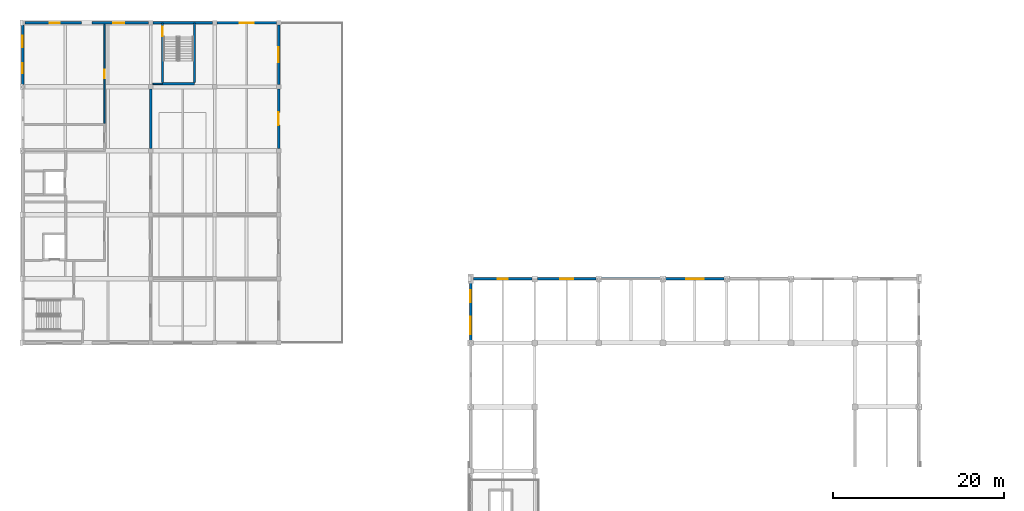
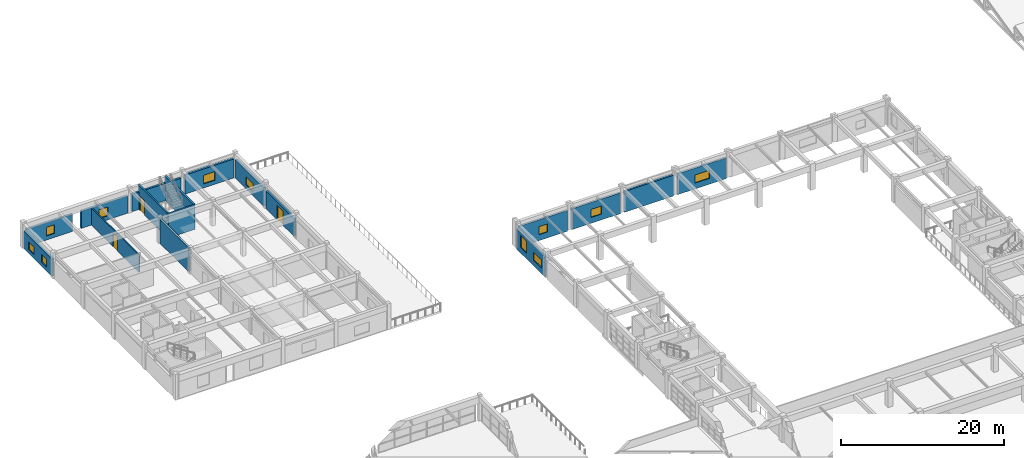
# One storey, part 65 of 82: 18 walls, 11 windows, 3 doors, 14 openings.
"""IFC4 building model written with IfcOpenShell, lengths in metres."""

from ifc_helpers import new_model, si_unit, direction, frame, frame_2d, origin, place, context, subcontext, project, spatial, rectangle, extrude, material, layer, layer_set, type_object, element, fill, save


model = new_model("IFC4")

# Units and contexts
model_context = context("Model", 3, precision=1e-05, world=origin(), true_north=direction((0.0, 1.0)))
body_context = subcontext(model_context, "Body", "Model", "MODEL_VIEW")
ifc_project = project(units=[si_unit("LENGTHUNIT", "METRE"), si_unit("AREAUNIT", "SQUARE_METRE"), si_unit("VOLUMEUNIT", "CUBIC_METRE"), si_unit("PLANEANGLEUNIT", "RADIAN"), si_unit("MASSUNIT", "GRAM", prefix="KILO")], contexts=[model_context])

# Site, building, storey
site_placement = place(None, origin())
site = spatial("IfcSite", under=ifc_project, at=site_placement, CompositionType="ELEMENT")
building_placement = place(site_placement, origin())
building = spatial("IfcBuilding", under=site, at=building_placement, Name="Qasida Concert Hall", CompositionType="ELEMENT")
storey_placement = place(building_placement, frame((0.0, 0.0, 17.10009765625)))
storey = spatial("IfcBuildingStorey", under=building, at=storey_placement, Name="L04", CompositionType="ELEMENT", Elevation=17.10009765625)

# Wall
ifc_material_1 = material(Name="Concrete C40/50", Category="concrete")
ifc_layer_1 = layer(ifc_material_1, 0.25, Name="Concrete C40/50")
ifc_layer_set_1 = layer_set([ifc_layer_1], Name="Concrete C40/50")
wall_type_1 = type_object("IfcWallType", Name="WL-CW-250", PredefinedType="SOLIDWALL", material=ifc_layer_set_1)
wall_1_placement = place(storey_placement, frame((16.3798828125, 105.35498046875, 0.0), z_axis=(0.0, 0.0, 1.0), x_axis=(1.0, 0.0, 0.0)))
element("IfcWall", 1, at=wall_1_placement, inside=storey, type_object=wall_type_1, Name="L04 ST-06 stairwell wall S", PredefinedType="SOLIDWALL", context=body_context, shape_type="SweptSolid", body=[
    extrude(rectangle(XDim=3.740234375, YDim=0.25, at=frame_2d((1.8701171875, 0.0))), origin(), (0.0, 0.0, 1.0), 3.619873046875),
])

# Wall, opening, door
wall_2_placement = place(storey_placement, frame((16.375, 105.47998046875, 0.0), z_axis=(0.0, 0.0, 1.0), x_axis=(0.0, 1.0, 0.0)))
wall_2 = element("IfcWall", 2, at=wall_2_placement, inside=storey, type_object=wall_type_1, Name="L04 ST-06 stairwell wall W", PredefinedType="SOLIDWALL", context=body_context, shape_type="SweptSolid", body=[
    extrude(rectangle(XDim=7.02001953125, YDim=0.25, at=frame_2d((3.510009765625, 0.0))), origin(), (0.0, 0.0, 1.0), 3.619873046875),
])
opening_1_placement = place(wall_2_placement, frame((5.469970703125, 0.0, 0.0)))
opening_1 = element("IfcOpeningElement", 3, at=opening_1_placement, cuts=wall_2, Name="Opening FD-110", PredefinedType="OPENING", context=body_context, shape_type="SweptSolid", body=[
    extrude(rectangle(XDim=1.10009765625, YDim=2.14990234375, at=frame_2d((0.550048828125, 1.074951171875))), frame((0.0, 0.135009765625, 0.0), z_axis=(0.0, -1.0, 0.0), x_axis=(1.0, 0.0, 0.0)), (0.0, 0.0, 1.0), 0.27001953125),
])
ifc_material_2 = material(Name="Steel fire-rated stair/lobby door set", Category="steel")
door_type_1 = type_object("IfcDoorType", Name="FD-110", OperationType="NOTDEFINED", PredefinedType="DOOR", material=ifc_material_2)
door_1_placement = place(opening_1_placement, origin())
door_1 = element("IfcDoor", 4, at=door_1_placement, inside=storey, type_object=door_type_1, Name="L04 ST-06 rated stair door", OperationType="SINGLE_SWING_LEFT", OverallHeight=2.14990234375, OverallWidth=1.10009765625, PredefinedType="DOOR", context=body_context, shape_type="SweptSolid", body=[
    extrude(rectangle(XDim=1.10009765625, YDim=2.14990234375, at=frame_2d((0.550048828125, 1.074951171875))), frame((0.0, 0.02490234375, 0.0), z_axis=(0.0, -1.0, 0.0), x_axis=(1.0, 0.0, 0.0)), (0.0, 0.0, 1.0), 0.050048828125),
])
fill(opening_1, door_1)

# Wall
wall_3_placement = place(storey_placement, frame((20.125, 105.47998046875, 0.0), z_axis=(0.0, 0.0, 1.0), x_axis=(0.0, 1.0, 0.0)))
element("IfcWall", 5, at=wall_3_placement, inside=storey, type_object=wall_type_1, Name="L04 ST-06 stairwell wall E", PredefinedType="SOLIDWALL", context=body_context, shape_type="SweptSolid", body=[
    extrude(rectangle(XDim=7.02001953125, YDim=0.25, at=frame_2d((3.510009765625, 0.0))), origin(), (0.0, 0.0, 1.0), 3.619873046875),
])

# Wall, openings, windows
ifc_material_3 = material(Name="Precast concrete C40/50", Category="concrete")
ifc_layer_2 = layer(ifc_material_3, 0.280029296875, Name="Precast concrete C40/50")
ifc_layer_set_2 = layer_set([ifc_layer_2], Name="Precast concrete C40/50")
wall_type_2 = type_object("IfcWallType", Name="WL-EW-280", PredefinedType="SOLIDWALL", material=ifc_layer_set_2)
wall_4_placement = place(storey_placement, frame((52.5, 75.300048828125, -0.280029296875), z_axis=(0.0, 0.0, 1.0), x_axis=(0.0, 1.0, 0.0)))
wall_4 = element("IfcWall", 6, at=wall_4_placement, inside=storey, type_object=wall_type_2, Name="L04 exterior wall EW-280 0087", PredefinedType="SOLIDWALL", context=body_context, shape_type="SweptSolid", body=[
    extrude(rectangle(XDim=6.89990234375, YDim=0.280029296875, at=frame_2d((3.449951171875, 0.0))), origin(), (0.0, 0.0, 1.0), 3.06982421875),
])
opening_2_placement = place(wall_4_placement, frame((0.699951171875, 0.0, 0.8798828125)))
opening_2 = element("IfcOpeningElement", 7, at=opening_2_placement, cuts=wall_4, Name="Opening WN-20", PredefinedType="OPENING", context=body_context, shape_type="SweptSolid", body=[
    extrude(rectangle(XDim=2.050048828125, YDim=1.199951171875, at=frame_2d((1.02490234375, 0.60009765625))), frame((0.0, 0.14990234375, 0.0), z_axis=(0.0, -1.0, 0.0), x_axis=(1.0, 0.0, 0.0)), (0.0, 0.0, 1.0), 0.300048828125),
])
opening_3_placement = place(wall_4_placement, frame((4.47509765625, 0.0, 0.8798828125)))
opening_3 = element("IfcOpeningElement", 8, at=opening_3_placement, cuts=wall_4, Name="Opening WN-03", PredefinedType="OPENING", context=body_context, shape_type="SweptSolid", body=[
    extrude(rectangle(XDim=1.39990234375, YDim=1.800048828125, at=frame_2d((0.699951171875, 0.89990234375))), frame((0.0, 0.14990234375, 0.0), z_axis=(0.0, -1.0, 0.0), x_axis=(1.0, 0.0, 0.0)), (0.0, 0.0, 1.0), 0.300048828125),
])
ifc_material_4 = material(Name="Bronze-anodized aluminium frame with acoustic low-E glazing", Category="aluminium")
window_type_1 = type_object("IfcWindowType", Name="WN-03", PartitioningType="SINGLE_PANEL", PredefinedType="WINDOW", material=ifc_material_4)
window_1_placement = place(opening_3_placement, origin())
window_1 = element("IfcWindow", 9, at=window_1_placement, inside=storey, type_object=window_type_1, Name="L04 window WN-03 0029", OverallHeight=1.800048828125, OverallWidth=1.39990234375, PartitioningType="SINGLE_PANEL", PredefinedType="WINDOW", context=body_context, shape_type="SweptSolid", body=[
    extrude(rectangle(XDim=1.39990234375, YDim=1.800048828125, at=frame_2d((0.699951171875, 0.89990234375))), frame((0.0, 0.030029296875, 0.0), z_axis=(0.0, -1.0, 0.0), x_axis=(1.0, 0.0, 0.0)), (0.0, 0.0, 1.0), 0.06005859375),
])
fill(opening_3, window_1)
window_type_2 = type_object("IfcWindowType", Name="WN-20", PartitioningType="SINGLE_PANEL", PredefinedType="WINDOW", material=ifc_material_4)
window_2_placement = place(opening_2_placement, origin())
window_2 = element("IfcWindow", 10, at=window_2_placement, inside=storey, type_object=window_type_2, Name="L04 window WN-20 0028", OverallHeight=1.199951171875, OverallWidth=2.050048828125, PartitioningType="SINGLE_PANEL", PredefinedType="WINDOW", context=body_context, shape_type="SweptSolid", body=[
    extrude(rectangle(XDim=2.050048828125, YDim=1.199951171875, at=frame_2d((1.02490234375, 0.60009765625))), frame((0.0, 0.030029296875, 0.0), z_axis=(0.0, -1.0, 0.0), x_axis=(1.0, 0.0, 0.0)), (0.0, 0.0, 1.0), 0.06005859375),
])
fill(opening_2, window_2)

# Wall, opening, window
wall_5_placement = place(storey_placement, frame((52.800048828125, 82.5, -0.280029296875), z_axis=(0.0, 0.0, 1.0), x_axis=(1.0, 0.0, 0.0)))
wall_5 = element("IfcWall", 11, at=wall_5_placement, inside=storey, type_object=wall_type_2, Name="L04 exterior wall EW-280 0089", PredefinedType="SOLIDWALL", context=body_context, shape_type="SweptSolid", body=[
    extrude(rectangle(XDim=6.89990234375, YDim=0.280029296875, at=frame_2d((3.449951171875, 0.0))), origin(), (0.0, 0.0, 1.0), 3.119873046875),
])
opening_4_placement = place(wall_5_placement, frame((2.85009765625, 0.0, 0.8798828125)))
opening_4 = element("IfcOpeningElement", 12, at=opening_4_placement, cuts=wall_5, Name="Opening WN-17", PredefinedType="OPENING", context=body_context, shape_type="SweptSolid", body=[
    extrude(rectangle(XDim=1.199951171875, YDim=1.199951171875, at=frame_2d((0.60009765625, 0.60009765625))), frame((0.0, 0.14990234375, 0.0), z_axis=(0.0, -1.0, 0.0), x_axis=(1.0, 0.0, 0.0)), (0.0, 0.0, 1.0), 0.300048828125),
])
window_type_3 = type_object("IfcWindowType", Name="WN-17", PartitioningType="SINGLE_PANEL", PredefinedType="WINDOW", material=ifc_material_4)
window_3_placement = place(opening_4_placement, origin())
window_3 = element("IfcWindow", 13, at=window_3_placement, inside=storey, type_object=window_type_3, Name="L04 window WN-17 0032", OverallHeight=1.199951171875, OverallWidth=1.199951171875, PartitioningType="SINGLE_PANEL", PredefinedType="WINDOW", context=body_context, shape_type="SweptSolid", body=[
    extrude(rectangle(XDim=1.199951171875, YDim=1.199951171875, at=frame_2d((0.60009765625, 0.60009765625))), frame((0.0, 0.030029296875, 0.0), z_axis=(0.0, -1.0, 0.0), x_axis=(1.0, 0.0, 0.0)), (0.0, 0.0, 1.0), 0.06005859375),
])
fill(opening_4, window_3)

wall_6_placement = place(storey_placement, frame((60.300048828125, 82.5, -0.280029296875), z_axis=(0.0, 0.0, 1.0), x_axis=(1.0, 0.0, 0.0)))
wall_6 = element("IfcWall", 14, at=wall_6_placement, inside=storey, type_object=wall_type_2, Name="L04 exterior wall EW-280 0090", PredefinedType="SOLIDWALL", context=body_context, shape_type="SweptSolid", body=[
    extrude(rectangle(XDim=6.89990234375, YDim=0.280029296875, at=frame_2d((3.449951171875, 0.0))), origin(), (0.0, 0.0, 1.0), 3.119873046875),
])
opening_5_placement = place(wall_6_placement, frame((2.699951171875, 0.0, 0.8798828125)))
opening_5 = element("IfcOpeningElement", 15, at=opening_5_placement, cuts=wall_6, Name="Opening WN-18", PredefinedType="OPENING", context=body_context, shape_type="SweptSolid", body=[
    extrude(rectangle(XDim=1.5, YDim=1.199951171875, at=frame_2d((0.75, 0.60009765625))), frame((0.0, 0.14990234375, 0.0), z_axis=(0.0, -1.0, 0.0), x_axis=(1.0, 0.0, 0.0)), (0.0, 0.0, 1.0), 0.300048828125),
])
window_type_4 = type_object("IfcWindowType", Name="WN-18", PartitioningType="SINGLE_PANEL", PredefinedType="WINDOW", material=ifc_material_4)
window_4_placement = place(opening_5_placement, origin())
window_4 = element("IfcWindow", 16, at=window_4_placement, inside=storey, type_object=window_type_4, Name="L04 window WN-18 0033", OverallHeight=1.199951171875, OverallWidth=1.5, PartitioningType="SINGLE_PANEL", PredefinedType="WINDOW", context=body_context, shape_type="SweptSolid", body=[
    extrude(rectangle(XDim=1.5, YDim=1.199951171875, at=frame_2d((0.75, 0.60009765625))), frame((0.0, 0.030029296875, 0.0), z_axis=(0.0, -1.0, 0.0), x_axis=(1.0, 0.0, 0.0)), (0.0, 0.0, 1.0), 0.06005859375),
])
fill(opening_5, window_4)

# Wall
wall_7_placement = place(storey_placement, frame((67.800048828125, 82.5, -0.280029296875), z_axis=(0.0, 0.0, 1.0), x_axis=(1.0, 0.0, 0.0)))
element("IfcWall", 17, at=wall_7_placement, inside=storey, type_object=wall_type_2, Name="L04 exterior wall EW-280 0091", PredefinedType="SOLIDWALL", context=body_context, shape_type="SweptSolid", body=[
    extrude(rectangle(XDim=6.89990234375, YDim=0.280029296875, at=frame_2d((3.449951171875, 0.0))), origin(), (0.0, 0.0, 1.0), 3.119873046875),
])

# Wall, opening, window
wall_8_placement = place(storey_placement, frame((75.300048828125, 82.5, -0.280029296875), z_axis=(0.0, 0.0, 1.0), x_axis=(1.0, 0.0, 0.0)))
wall_8 = element("IfcWall", 18, at=wall_8_placement, inside=storey, type_object=wall_type_2, Name="L04 exterior wall EW-280 0092", PredefinedType="SOLIDWALL", context=body_context, shape_type="SweptSolid", body=[
    extrude(rectangle(XDim=6.89990234375, YDim=0.280029296875, at=frame_2d((3.449951171875, 0.0))), origin(), (0.0, 0.0, 1.0), 3.119873046875),
])
opening_6_placement = place(wall_8_placement, frame((2.425048828125, 0.0, 0.8798828125)))
opening_6 = element("IfcOpeningElement", 19, at=opening_6_placement, cuts=wall_8, Name="Opening WN-20", PredefinedType="OPENING", context=body_context, shape_type="SweptSolid", body=[
    extrude(rectangle(XDim=2.050048828125, YDim=1.199951171875, at=frame_2d((1.02490234375, 0.60009765625))), frame((0.0, 0.14990234375, 0.0), z_axis=(0.0, -1.0, 0.0), x_axis=(1.0, 0.0, 0.0)), (0.0, 0.0, 1.0), 0.300048828125),
])
window_5_placement = place(opening_6_placement, origin())
window_5 = element("IfcWindow", 20, at=window_5_placement, inside=storey, type_object=window_type_2, Name="L04 window WN-20 0034", OverallHeight=1.199951171875, OverallWidth=2.050048828125, PartitioningType="SINGLE_PANEL", PredefinedType="WINDOW", context=body_context, shape_type="SweptSolid", body=[
    extrude(rectangle(XDim=2.050048828125, YDim=1.199951171875, at=frame_2d((1.02490234375, 0.60009765625))), frame((0.0, 0.030029296875, 0.0), z_axis=(0.0, -1.0, 0.0), x_axis=(1.0, 0.0, 0.0)), (0.0, 0.0, 1.0), 0.06005859375),
])
fill(opening_6, window_5)

# Wall, opening, door
wall_9_placement = place(storey_placement, frame((30.0, 97.764892578125, 0.0), z_axis=(0.0, 0.0, 1.0), x_axis=(0.0, 1.0, 0.0)))
wall_9 = element("IfcWall", 21, at=wall_9_placement, inside=storey, type_object=wall_type_2, Name="L04 exterior wall EW-280 0307", PredefinedType="SOLIDWALL", context=body_context, shape_type="SweptSolid", body=[
    extrude(rectangle(XDim=6.97021484375, YDim=0.280029296875, at=frame_2d((3.485107421875, 0.0))), origin(), (0.0, 0.0, 1.0), 2.639892578125),
])
opening_7_placement = place(wall_9_placement, frame((2.735107421875, 0.0, 0.0)))
opening_7 = element("IfcOpeningElement", 22, at=opening_7_placement, cuts=wall_9, Name="Opening TD-150", PredefinedType="OPENING", context=body_context, shape_type="SweptSolid", body=[
    extrude(rectangle(XDim=1.5, YDim=2.14990234375, at=frame_2d((0.75, 1.074951171875))), frame((0.0, 0.14990234375, 0.0), z_axis=(0.0, -1.0, 0.0), x_axis=(1.0, 0.0, 0.0)), (0.0, 0.0, 1.0), 0.300048828125),
])
ifc_material_5 = material(Name="Patinated architectural bronze and laminated safety glass", Category="glass")
door_type_2 = type_object("IfcDoorType", Name="TD-150", OperationType="NOTDEFINED", PredefinedType="DOOR", material=ifc_material_5)
door_2_placement = place(opening_7_placement, frame((1.5, 0.0, 0.0), z_axis=(0.0, 0.0, 1.0), x_axis=(-1.0, 0.0, 0.0)))
door_2 = element("IfcDoor", 23, at=door_2_placement, inside=storey, type_object=door_type_2, Name="L04 ziggurat east terrace door 2", OperationType="SINGLE_SWING_RIGHT", OverallHeight=2.14990234375, OverallWidth=1.5, PredefinedType="DOOR", context=body_context, shape_type="SweptSolid", body=[
    extrude(rectangle(XDim=1.5, YDim=2.14990234375, at=frame_2d((0.75, 1.074951171875))), frame((0.0, 0.02490234375, 0.0), z_axis=(0.0, -1.0, 0.0), x_axis=(1.0, 0.0, 0.0)), (0.0, 0.0, 1.0), 0.050048828125),
])
fill(opening_7, door_2)

# Wall, opening, window
ifc_layer_3 = layer(ifc_material_3, 0.300048828125, Name="Precast concrete C40/50")
ifc_layer_set_3 = layer_set([ifc_layer_3], Name="Precast concrete C40/50")
wall_type_3 = type_object("IfcWallType", Name="WL-EW-300", PredefinedType="SOLIDWALL", material=ifc_layer_set_3)
wall_10_placement = place(storey_placement, frame((0.264892578125, 112.5, 0.0), z_axis=(0.0, 0.0, 1.0), x_axis=(1.0, 0.0, 0.0)))
wall_10 = element("IfcWall", 24, at=wall_10_placement, inside=storey, type_object=wall_type_3, Name="L04 exterior wall EW-300 0292", PredefinedType="SOLIDWALL", context=body_context, shape_type="SweptSolid", body=[
    extrude(rectangle(XDim=6.614990234375, YDim=0.300048828125, at=frame_2d((3.3076171875, 0.0))), origin(), (0.0, 0.0, 1.0), 2.58984375),
])
opening_8_placement = place(wall_10_placement, frame((2.909912109375, 0.0, 0.60009765625)))
opening_8 = element("IfcOpeningElement", 25, at=opening_8_placement, cuts=wall_10, Name="Opening WN-09", PredefinedType="OPENING", context=body_context, shape_type="SweptSolid", body=[
    extrude(rectangle(XDim=1.14990234375, YDim=1.300048828125, at=frame_2d((0.574951171875, 0.64990234375))), frame((0.0, 0.159912109375, 0.0), z_axis=(0.0, -1.0, 0.0), x_axis=(1.0, 0.0, 0.0)), (0.0, 0.0, 1.0), 0.320068359375),
])
window_type_5 = type_object("IfcWindowType", Name="WN-09", PartitioningType="SINGLE_PANEL", PredefinedType="WINDOW", material=ifc_material_4)
window_6_placement = place(opening_8_placement, origin())
window_6 = element("IfcWindow", 26, at=window_6_placement, inside=storey, type_object=window_type_5, Name="L04 window WN-09 0159", OverallHeight=1.300048828125, OverallWidth=1.14990234375, PartitioningType="SINGLE_PANEL", PredefinedType="WINDOW", context=body_context, shape_type="SweptSolid", body=[
    extrude(rectangle(XDim=1.14990234375, YDim=1.300048828125, at=frame_2d((0.574951171875, 0.64990234375))), frame((0.0, 0.030029296875, 0.0), z_axis=(0.0, -1.0, 0.0), x_axis=(1.0, 0.0, 0.0)), (0.0, 0.0, 1.0), 0.06005859375),
])
fill(opening_8, window_6)

wall_11_placement = place(storey_placement, frame((8.1201171875, 112.5, 0.0), z_axis=(0.0, 0.0, 1.0), x_axis=(1.0, 0.0, 0.0)))
wall_11 = element("IfcWall", 27, at=wall_11_placement, inside=storey, type_object=wall_type_3, Name="L04 exterior wall EW-300 0294", PredefinedType="SOLIDWALL", context=body_context, shape_type="SweptSolid", body=[
    extrude(rectangle(XDim=6.614990234375, YDim=0.300048828125, at=frame_2d((3.3076171875, 0.0))), origin(), (0.0, 0.0, 1.0), 2.58984375),
])
opening_9_placement = place(wall_11_placement, frame((2.47998046875, 0.0, 0.60009765625)))
opening_9 = element("IfcOpeningElement", 28, at=opening_9_placement, cuts=wall_11, Name="Opening WN-10", PredefinedType="OPENING", context=body_context, shape_type="SweptSolid", body=[
    extrude(rectangle(XDim=1.300048828125, YDim=1.300048828125, at=frame_2d((0.64990234375, 0.64990234375))), frame((0.0, 0.159912109375, 0.0), z_axis=(0.0, -1.0, 0.0), x_axis=(1.0, 0.0, 0.0)), (0.0, 0.0, 1.0), 0.320068359375),
])
window_type_6 = type_object("IfcWindowType", Name="WN-10", PartitioningType="SINGLE_PANEL", PredefinedType="WINDOW", material=ifc_material_4)
window_7_placement = place(opening_9_placement, origin())
window_7 = element("IfcWindow", 29, at=window_7_placement, inside=storey, type_object=window_type_6, Name="L04 window WN-10 0161", OverallHeight=1.300048828125, OverallWidth=1.300048828125, PartitioningType="SINGLE_PANEL", PredefinedType="WINDOW", context=body_context, shape_type="SweptSolid", body=[
    extrude(rectangle(XDim=1.300048828125, YDim=1.300048828125, at=frame_2d((0.64990234375, 0.64990234375))), frame((0.0, 0.030029296875, 0.0), z_axis=(0.0, -1.0, 0.0), x_axis=(1.0, 0.0, 0.0)), (0.0, 0.0, 1.0), 0.06005859375),
])
fill(opening_9, window_7)

# Wall
wall_12_placement = place(storey_placement, frame((15.264892578125, 112.5, 0.0), z_axis=(0.0, 0.0, 1.0), x_axis=(1.0, 0.0, 0.0)))
element("IfcWall", 30, at=wall_12_placement, inside=storey, type_object=wall_type_3, Name="L04 exterior wall EW-300 0296", PredefinedType="SOLIDWALL", context=body_context, shape_type="SweptSolid", body=[
    extrude(rectangle(XDim=6.97021484375, YDim=0.300048828125, at=frame_2d((3.485107421875, 0.0))), origin(), (0.0, 0.0, 1.0), 2.58984375),
])

# Wall, opening, window
wall_13_placement = place(storey_placement, frame((22.764892578125, 112.5, 0.0), z_axis=(0.0, 0.0, 1.0), x_axis=(1.0, 0.0, 0.0)))
wall_13 = element("IfcWall", 31, at=wall_13_placement, inside=storey, type_object=wall_type_3, Name="L04 exterior wall EW-300 0298", PredefinedType="SOLIDWALL", context=body_context, shape_type="SweptSolid", body=[
    extrude(rectangle(XDim=6.97021484375, YDim=0.300048828125, at=frame_2d((3.485107421875, 0.0))), origin(), (0.0, 0.0, 1.0), 2.83984375),
])
opening_10_placement = place(wall_13_placement, frame((2.68505859375, 0.0, 0.60009765625)))
opening_10 = element("IfcOpeningElement", 32, at=opening_10_placement, cuts=wall_13, Name="Opening WN-12", PredefinedType="OPENING", context=body_context, shape_type="SweptSolid", body=[
    extrude(rectangle(XDim=1.60009765625, YDim=1.300048828125, at=frame_2d((0.800048828125, 0.64990234375))), frame((0.0, 0.159912109375, 0.0), z_axis=(0.0, -1.0, 0.0), x_axis=(1.0, 0.0, 0.0)), (0.0, 0.0, 1.0), 0.320068359375),
])
window_type_7 = type_object("IfcWindowType", Name="WN-12", PartitioningType="SINGLE_PANEL", PredefinedType="WINDOW", material=ifc_material_4)
window_8_placement = place(opening_10_placement, origin())
window_8 = element("IfcWindow", 33, at=window_8_placement, inside=storey, type_object=window_type_7, Name="L04 window WN-12 0164", OverallHeight=1.300048828125, OverallWidth=1.60009765625, PartitioningType="SINGLE_PANEL", PredefinedType="WINDOW", context=body_context, shape_type="SweptSolid", body=[
    extrude(rectangle(XDim=1.60009765625, YDim=1.300048828125, at=frame_2d((0.800048828125, 0.64990234375))), frame((0.0, 0.030029296875, 0.0), z_axis=(0.0, -1.0, 0.0), x_axis=(1.0, 0.0, 0.0)), (0.0, 0.0, 1.0), 0.06005859375),
])
fill(opening_10, window_8)

# Wall, openings, windows
wall_14_placement = place(storey_placement, frame((0.0, 105.264892578125, 0.0), z_axis=(0.0, 0.0, 1.0), x_axis=(0.0, 1.0, 0.0)))
wall_14 = element("IfcWall", 34, at=wall_14_placement, inside=storey, type_object=wall_type_3, Name="L04 exterior wall EW-300 0308", PredefinedType="SOLIDWALL", context=body_context, shape_type="SweptSolid", body=[
    extrude(rectangle(XDim=6.97021484375, YDim=0.300048828125, at=frame_2d((3.485107421875, 0.0))), origin(), (0.0, 0.0, 1.0), 2.58984375),
])
opening_11_placement = place(wall_14_placement, frame((1.320068359375, 0.0, 0.60009765625)))
opening_11 = element("IfcOpeningElement", 35, at=opening_11_placement, cuts=wall_14, Name="Opening WN-17", PredefinedType="OPENING", context=body_context, shape_type="SweptSolid", body=[
    extrude(rectangle(XDim=1.199951171875, YDim=1.199951171875, at=frame_2d((0.60009765625, 0.60009765625))), frame((0.0, 0.159912109375, 0.0), z_axis=(0.0, -1.0, 0.0), x_axis=(1.0, 0.0, 0.0)), (0.0, 0.0, 1.0), 0.320068359375),
])
opening_12_placement = place(wall_14_placement, frame((4.375, 0.0, 0.60009765625)))
opening_12 = element("IfcOpeningElement", 36, at=opening_12_placement, cuts=wall_14, Name="Opening WN-23", PredefinedType="OPENING", context=body_context, shape_type="SweptSolid", body=[
    extrude(rectangle(XDim=1.35009765625, YDim=1.14990234375, at=frame_2d((0.675048828125, 0.574951171875))), frame((0.0, 0.159912109375, 0.0), z_axis=(0.0, -1.0, 0.0), x_axis=(1.0, 0.0, 0.0)), (0.0, 0.0, 1.0), 0.320068359375),
])
window_9_placement = place(opening_11_placement, origin())
window_9 = element("IfcWindow", 37, at=window_9_placement, inside=storey, type_object=window_type_3, Name="L04 window WN-17 0168", OverallHeight=1.199951171875, OverallWidth=1.199951171875, PartitioningType="SINGLE_PANEL", PredefinedType="WINDOW", context=body_context, shape_type="SweptSolid", body=[
    extrude(rectangle(XDim=1.199951171875, YDim=1.199951171875, at=frame_2d((0.60009765625, 0.60009765625))), frame((0.0, 0.030029296875, 0.0), z_axis=(0.0, -1.0, 0.0), x_axis=(1.0, 0.0, 0.0)), (0.0, 0.0, 1.0), 0.06005859375),
])
fill(opening_11, window_9)
window_type_8 = type_object("IfcWindowType", Name="WN-23", PartitioningType="SINGLE_PANEL", PredefinedType="WINDOW", material=ifc_material_4)
window_10_placement = place(opening_12_placement, origin())
window_10 = element("IfcWindow", 38, at=window_10_placement, inside=storey, type_object=window_type_8, Name="L04 window WN-23 0169", OverallHeight=1.14990234375, OverallWidth=1.35009765625, PartitioningType="SINGLE_PANEL", PredefinedType="WINDOW", context=body_context, shape_type="SweptSolid", body=[
    extrude(rectangle(XDim=1.35009765625, YDim=1.14990234375, at=frame_2d((0.675048828125, 0.574951171875))), frame((0.0, 0.030029296875, 0.0), z_axis=(0.0, -1.0, 0.0), x_axis=(1.0, 0.0, 0.0)), (0.0, 0.0, 1.0), 0.06005859375),
])
fill(opening_12, window_10)

# Wall, opening, window
wall_15_placement = place(storey_placement, frame((30.0, 105.264892578125, 0.0), z_axis=(0.0, 0.0, 1.0), x_axis=(0.0, 1.0, 0.0)))
wall_15 = element("IfcWall", 39, at=wall_15_placement, inside=storey, type_object=wall_type_3, Name="L04 exterior wall EW-300 0309", PredefinedType="SOLIDWALL", context=body_context, shape_type="SweptSolid", body=[
    extrude(rectangle(XDim=6.97021484375, YDim=0.300048828125, at=frame_2d((3.485107421875, 0.0))), origin(), (0.0, 0.0, 1.0), 2.789794921875),
])
opening_13_placement = place(wall_15_placement, frame((2.5849609375, 0.0, 0.60009765625)))
opening_13 = element("IfcOpeningElement", 40, at=opening_13_placement, cuts=wall_15, Name="Opening WN-19", PredefinedType="OPENING", context=body_context, shape_type="SweptSolid", body=[
    extrude(rectangle(XDim=1.800048828125, YDim=1.199951171875, at=frame_2d((0.89990234375, 0.60009765625))), frame((0.0, 0.159912109375, 0.0), z_axis=(0.0, -1.0, 0.0), x_axis=(1.0, 0.0, 0.0)), (0.0, 0.0, 1.0), 0.320068359375),
])
window_type_9 = type_object("IfcWindowType", Name="WN-19", PartitioningType="SINGLE_PANEL", PredefinedType="WINDOW", material=ifc_material_4)
window_11_placement = place(opening_13_placement, origin())
window_11 = element("IfcWindow", 41, at=window_11_placement, inside=storey, type_object=window_type_9, Name="L04 window WN-19 0170", OverallHeight=1.199951171875, OverallWidth=1.800048828125, PartitioningType="SINGLE_PANEL", PredefinedType="WINDOW", context=body_context, shape_type="SweptSolid", body=[
    extrude(rectangle(XDim=1.800048828125, YDim=1.199951171875, at=frame_2d((0.89990234375, 0.60009765625))), frame((0.0, 0.030029296875, 0.0), z_axis=(0.0, -1.0, 0.0), x_axis=(1.0, 0.0, 0.0)), (0.0, 0.0, 1.0), 0.06005859375),
])
fill(opening_13, window_11)

# Wall, opening, door
ifc_material_6 = material(Name="Moisture-resistant gypsum partition", Category="gypsum")
ifc_layer_4 = layer(ifc_material_6, 0.159912109375, Name="Moisture-resistant gypsum partition")
ifc_layer_set_4 = layer_set([ifc_layer_4], Name="Moisture-resistant gypsum partition")
wall_type_4 = type_object("IfcWallType", Name="WL-PW-160", PredefinedType="PARTITIONING", material=ifc_layer_set_4)
wall_16_placement = place(storey_placement, frame((9.60009765625, 100.694091796875, 0.0), z_axis=(0.0, 0.0, 1.0), x_axis=(0.0, 1.0, 0.0)))
wall_16 = element("IfcWall", 42, at=wall_16_placement, inside=storey, type_object=wall_type_4, Name="L04 partition PW-160 0365", PredefinedType="PARTITIONING", context=body_context, shape_type="SweptSolid", body=[
    extrude(rectangle(XDim=11.641845703125, YDim=0.159912109375, at=frame_2d((5.82080078125, 0.0))), origin(), (0.0, 0.0, 1.0), 2.58984375),
])
opening_14_placement = place(wall_16_placement, frame((5.281005859375, 0.0, 0.0)))
opening_14 = element("IfcOpeningElement", 43, at=opening_14_placement, cuts=wall_16, Name="Opening ID-105", PredefinedType="OPENING", context=body_context, shape_type="SweptSolid", body=[
    extrude(rectangle(XDim=1.050048828125, YDim=2.1201171875, at=frame_2d((0.52490234375, 1.06005859375))), frame((0.0, 0.08984375, 0.0), z_axis=(0.0, -1.0, 0.0), x_axis=(1.0, 0.0, 0.0)), (0.0, 0.0, 1.0), 0.179931640625),
])
ifc_material_7 = material(Name="Quarter-sawn oak practice studio door", Category="wood")
door_type_3 = type_object("IfcDoorType", Name="ID-105", OperationType="NOTDEFINED", PredefinedType="DOOR", material=ifc_material_7)
door_3_placement = place(opening_14_placement, origin())
door_3 = element("IfcDoor", 44, at=door_3_placement, inside=storey, type_object=door_type_3, Name="L04 Ensemble warmup room door", OperationType="SINGLE_SWING_LEFT", OverallHeight=2.1201171875, OverallWidth=1.050048828125, PredefinedType="DOOR", context=body_context, shape_type="SweptSolid", body=[
    extrude(rectangle(XDim=1.050048828125, YDim=2.1201171875, at=frame_2d((0.52490234375, 1.06005859375))), frame((0.0, 0.02490234375, 0.0), z_axis=(0.0, -1.0, 0.0), x_axis=(1.0, 0.0, 0.0)), (0.0, 0.0, 1.0), 0.050048828125),
])
fill(opening_14, door_3)

# Walls
ifc_material_8 = material(Name="Acoustic metal-stud gypsum partition", Category="gypsum")
ifc_layer_5 = layer(ifc_material_8, 0.179931640625, Name="Acoustic metal-stud gypsum partition")
ifc_layer_set_5 = layer_set([ifc_layer_5], Name="Acoustic metal-stud gypsum partition")
wall_type_5 = type_object("IfcWallType", Name="WL-PW-180", PredefinedType="PARTITIONING", material=ifc_layer_set_5)
wall_17_placement = place(storey_placement, frame((15.263916015625, 105.35009765625, 0.0), z_axis=(0.0, 0.0, 1.0), x_axis=(1.0, 0.0, 0.0)))
element("IfcWall", 45, at=wall_17_placement, inside=storey, type_object=wall_type_5, Name="L04 partition PW-180 0366", PredefinedType="PARTITIONING", context=body_context, shape_type="SweptSolid", body=[
    extrude(rectangle(XDim=1.115966796875, YDim=0.179931640625, at=frame_2d((0.55810546875, 0.0))), origin(), (0.0, 0.0, 1.0), 2.58984375),
])
ifc_layer_6 = layer(ifc_material_1, 0.280029296875, Name="Concrete C40/50")
ifc_layer_set_6 = layer_set([ifc_layer_6], Name="Concrete C40/50")
wall_type_6 = type_object("IfcWallType", Name="WL-SW-280", PredefinedType="SHEAR", material=ifc_layer_set_6)
wall_18_placement = place(storey_placement, frame((15.0, 97.75, 0.0), z_axis=(0.0, 0.0, 1.0), x_axis=(0.0, 1.0, 0.0)))
element("IfcWall", 46, at=wall_18_placement, inside=storey, type_object=wall_type_6, Name="L04 V5 conservatory shear wall 0041", PredefinedType="SHEAR", context=body_context, shape_type="SweptSolid", body=[
    extrude(rectangle(XDim=7.0, YDim=0.280029296875, at=frame_2d((3.5, 0.0))), origin(), (0.0, 0.0, 1.0), 3.599853515625),
])

save(model, "model.ifc")
